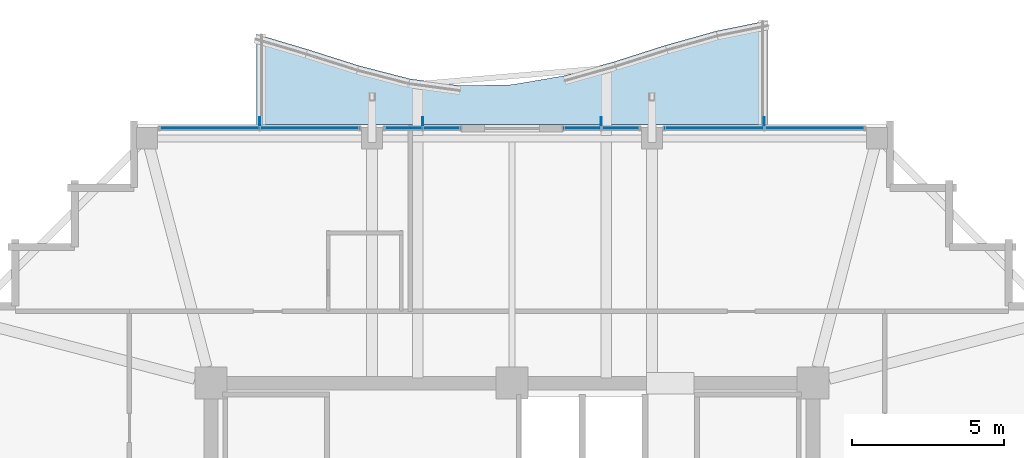
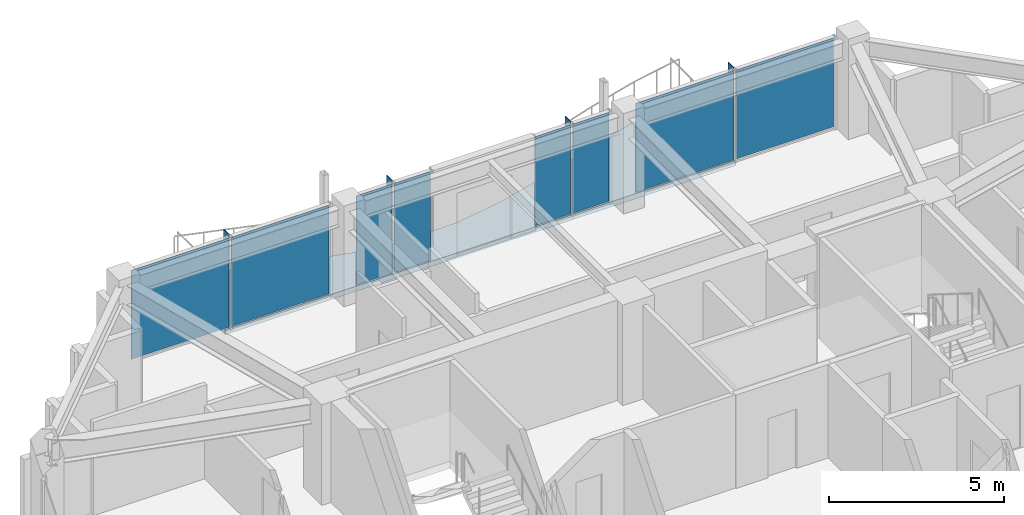
# One storey, part 25 of 31: 12 plates, 1 slab, 4 elements without a shape of their own.
"""IFC4 building model written with IfcOpenShell, lengths in metres."""

from ifc_helpers import new_model, si_unit, direction, frame, origin, origin_2d, place, context, subcontext, project, spatial, polyline, rectangle, outline, extrude, material, layer, layer_set, type_object, element, aggregate, save


model = new_model("IFC4")

# Units and contexts
model_context = context("Model", 3, precision=1e-05, world=origin(), true_north=direction((0.0, 1.0)))
body_context = subcontext(model_context, "Body", "Model", "MODEL_VIEW")
ifc_project = project(units=[si_unit("LENGTHUNIT", "METRE"), si_unit("AREAUNIT", "SQUARE_METRE"), si_unit("VOLUMEUNIT", "CUBIC_METRE"), si_unit("PLANEANGLEUNIT", "RADIAN"), si_unit("MASSUNIT", "GRAM", prefix="KILO")], contexts=[model_context])

# Site, building, storey
site_placement = place(None, origin())
site = spatial("IfcSite", under=ifc_project, at=site_placement, CompositionType="ELEMENT")
building_placement = place(site_placement, origin())
building = spatial("IfcBuilding", under=site, at=building_placement, Name="Kolvaren Belvedere", CompositionType="ELEMENT")
storey_placement = place(building_placement, frame((0.0, 0.0, 247.89990234375)))
storey = spatial("IfcBuildingStorey", under=building, at=storey_placement, Name="L72", CompositionType="ELEMENT", Elevation=247.89990234375)

# Curtain wall, plates
ifc_material_1 = material(Name="Anodised pale-metal aluminium AA 6063-T6", Category="aluminium")
curtain_wall_type = type_object("IfcCurtainWallType", Name="CW-Z5-HIGH", PredefinedType="NOTDEFINED", material=ifc_material_1)
curtain_wall_1_placement = place(storey_placement, origin())
curtain_wall_1 = element("IfcCurtainWall", 1, at=curtain_wall_1_placement, inside=storey, type_object=curtain_wall_type, Name="L72 Unitised Curtain Wall FCW-L72-N1-B1", PredefinedType="NOTDEFINED")
ifc_material_2 = material(Name="Low-iron triple insulated glass", Category="glass")
ifc_layer_1 = layer(ifc_material_2, 0.028076171875)
ifc_layer_set_1 = layer_set([ifc_layer_1], Name="Low-iron triple insulated glass")
plate_type_1 = type_object("IfcPlateType", Name="CW-PNL-VIS28", PredefinedType="CURTAIN_PANEL", material=ifc_layer_set_1)
plate_1_placement = place(storey_placement, frame((-9.947509765625, 18.280029296875, 0.080078125), z_axis=(0.0, 0.0, 1.0), x_axis=(1.0, 0.0, 0.0)))
plate_1 = element("IfcPlate", 2, at=plate_1_placement, type_object=plate_type_1, Name="FCW-L72-N1-B1 Vision Glazing Panel 1", PredefinedType="CURTAIN_PANEL", context=body_context, shape_type="SweptSolid", body=[
    extrude(rectangle(XDim=3.215087890625, YDim=0.028076171875, at=origin_2d()), origin(), (0.0, 0.0, 1.0), 3.090087890625),
])
plate_2_placement = place(storey_placement, frame((-6.652587890625, 18.280029296875, 0.080078125), z_axis=(0.0, 0.0, 1.0), x_axis=(1.0, 0.0, 0.0)))
plate_2 = element("IfcPlate", 3, at=plate_2_placement, type_object=plate_type_1, Name="FCW-L72-N1-B1 Vision Glazing Panel 2", PredefinedType="CURTAIN_PANEL", context=body_context, shape_type="SweptSolid", body=[
    extrude(rectangle(XDim=3.215087890625, YDim=0.028076171875, at=origin_2d()), origin(), (0.0, 0.0, 1.0), 3.090087890625),
])
aggregate(curtain_wall_1, [plate_1, plate_2])

curtain_wall_2_placement = place(storey_placement, origin())
curtain_wall_2 = element("IfcCurtainWall", 4, at=curtain_wall_2_placement, inside=storey, type_object=curtain_wall_type, Name="L72 Unitised Curtain Wall FCW-L72-N1-B2", PredefinedType="NOTDEFINED")
plate_3_placement = place(storey_placement, frame((-3.56640625, 18.280029296875, 0.080078125), z_axis=(0.0, 0.0, 1.0), x_axis=(1.0, 0.0, 0.0)))
plate_3 = element("IfcPlate", 5, at=plate_3_placement, type_object=plate_type_1, Name="FCW-L72-N1-B2 Vision Glazing Panel 1", PredefinedType="CURTAIN_PANEL", context=body_context, shape_type="SweptSolid", body=[
    extrude(rectangle(XDim=1.177490234375, YDim=0.028076171875, at=origin_2d()), origin(), (0.0, 0.0, 1.0), 3.090087890625),
])
plate_4_placement = place(storey_placement, frame((-2.30859375, 18.280029296875, 0.080078125), z_axis=(0.0, 0.0, 1.0), x_axis=(1.0, 0.0, 0.0)))
plate_4 = element("IfcPlate", 6, at=plate_4_placement, type_object=plate_type_1, Name="FCW-L72-N1-B2 Vision Glazing Panel 2", PredefinedType="CURTAIN_PANEL", context=body_context, shape_type="SweptSolid", body=[
    extrude(rectangle(XDim=1.177490234375, YDim=0.028076171875, at=origin_2d()), origin(), (0.0, 0.0, 1.0), 3.090087890625),
])
aggregate(curtain_wall_2, [plate_3, plate_4])

curtain_wall_3_placement = place(storey_placement, origin())
curtain_wall_3 = element("IfcCurtainWall", 7, at=curtain_wall_3_placement, inside=storey, type_object=curtain_wall_type, Name="L72 Unitised Curtain Wall FCW-L72-N2-B1", PredefinedType="NOTDEFINED")
plate_5_placement = place(storey_placement, frame((2.30859375, 18.280029296875, 0.080078125), z_axis=(0.0, 0.0, 1.0), x_axis=(1.0, 0.0, 0.0)))
plate_5 = element("IfcPlate", 8, at=plate_5_placement, type_object=plate_type_1, Name="FCW-L72-N2-B1 Vision Glazing Panel 1", PredefinedType="CURTAIN_PANEL", context=body_context, shape_type="SweptSolid", body=[
    extrude(rectangle(XDim=1.177490234375, YDim=0.028076171875, at=origin_2d()), origin(), (0.0, 0.0, 1.0), 3.090087890625),
])
plate_6_placement = place(storey_placement, frame((3.56640625, 18.280029296875, 0.080078125), z_axis=(0.0, 0.0, 1.0), x_axis=(1.0, 0.0, 0.0)))
plate_6 = element("IfcPlate", 9, at=plate_6_placement, type_object=plate_type_1, Name="FCW-L72-N2-B1 Vision Glazing Panel 2", PredefinedType="CURTAIN_PANEL", context=body_context, shape_type="SweptSolid", body=[
    extrude(rectangle(XDim=1.177490234375, YDim=0.028076171875, at=origin_2d()), origin(), (0.0, 0.0, 1.0), 3.090087890625),
])
aggregate(curtain_wall_3, [plate_5, plate_6])

curtain_wall_4_placement = place(storey_placement, origin())
curtain_wall_4 = element("IfcCurtainWall", 10, at=curtain_wall_4_placement, inside=storey, type_object=curtain_wall_type, Name="L72 Unitised Curtain Wall FCW-L72-N2-B2", PredefinedType="NOTDEFINED")
plate_7_placement = place(storey_placement, frame((6.652587890625, 18.280029296875, 0.080078125), z_axis=(0.0, 0.0, 1.0), x_axis=(1.0, 0.0, 0.0)))
plate_7 = element("IfcPlate", 11, at=plate_7_placement, type_object=plate_type_1, Name="FCW-L72-N2-B2 Vision Glazing Panel 1", PredefinedType="CURTAIN_PANEL", context=body_context, shape_type="SweptSolid", body=[
    extrude(rectangle(XDim=3.215087890625, YDim=0.028076171875, at=origin_2d()), origin(), (0.0, 0.0, 1.0), 3.090087890625),
])
plate_8_placement = place(storey_placement, frame((9.947509765625, 18.280029296875, 0.080078125), z_axis=(0.0, 0.0, 1.0), x_axis=(1.0, 0.0, 0.0)))
plate_8 = element("IfcPlate", 12, at=plate_8_placement, type_object=plate_type_1, Name="FCW-L72-N2-B2 Vision Glazing Panel 2", PredefinedType="CURTAIN_PANEL", context=body_context, shape_type="SweptSolid", body=[
    extrude(rectangle(XDim=3.215087890625, YDim=0.028076171875, at=origin_2d()), origin(), (0.0, 0.0, 1.0), 3.090087890625),
])
aggregate(curtain_wall_4, [plate_7, plate_8])

# Plates
ifc_material_3 = material(Name="Anodised pale-metal aluminium AA 6063-T6", Category="aluminium")
ifc_layer_2 = layer(ifc_material_3, 0.030029296875)
ifc_layer_set_2 = layer_set([ifc_layer_2], Name="Anodised pale-metal aluminium AA 6063-T6")
plate_type_2 = type_object("IfcPlateType", Name="FIN-VERT-300", PredefinedType="USERDEFINED", material=ifc_layer_set_2)
for number, where, z_axis, x_axis, name in (
    (13, (-8.300048828125, 18.489990234375, 0.0), (0.0, 0.0, 1.0), (0.0, 1.0, 0.0), "L72 Pale-Metal Vertical Shading Fin FCW-L72-N1-B1-1"),
    (14, (-2.9375, 18.489990234375, 0.0), (0.0, 0.0, 1.0), (0.0, 1.0, 0.0), "L72 Pale-Metal Vertical Shading Fin FCW-L72-N1-B2-1"),
    (15, (2.9375, 18.489990234375, 0.0), (0.0, 0.0, 1.0), (0.0, 1.0, 0.0), "L72 Pale-Metal Vertical Shading Fin FCW-L72-N2-B1-1"),
    (16, (8.300048828125, 18.489990234375, 0.0), (0.0, 0.0, 1.0), (0.0, 1.0, 0.0), "L72 Pale-Metal Vertical Shading Fin FCW-L72-N2-B2-1"),
):
    element("IfcPlate", number, at=place(storey_placement, frame(where, z_axis=z_axis, x_axis=x_axis)), inside=storey, type_object=plate_type_2, Name=name, ObjectType="VERTICAL FIN", PredefinedType="USERDEFINED", context=body_context, shape_type="SweptSolid", body=[
        extrude(rectangle(XDim=0.300048828125, YDim=0.030029296875, at=origin_2d()), origin(), (0.0, 0.0, 1.0), 3.25),
    ])

# Slab
ifc_material_4 = material(Name="Concrete C50/60", Category="concrete")
ifc_layer_3 = layer(ifc_material_4, 0.179931640625)
ifc_layer_set_3 = layer_set([ifc_layer_3], Name="Concrete C50/60")
slab_type = type_object("IfcSlabType", Name="SL-BAL-180", PredefinedType="FLOOR", material=ifc_layer_set_3)
slab_placement = place(storey_placement, frame((0.0, 0.0, -0.25)))
element("IfcSlab", 17, at=slab_placement, inside=storey, type_object=slab_type, Name="L72 Planted Balcony BAL-N", PredefinedType="FLOOR", context=body_context, shape_type="SweptSolid", body=[
    extrude(outline(polyline([(-8.39990234375, 18.39990234375), (-6.719970703125, 18.39990234375), (-5.0400390625, 18.39990234375), (-3.360107421875, 18.39990234375), (-1.679931640625, 18.39990234375), (0.0, 18.39990234375), (1.679931640625, 18.39990234375), (3.360107421875, 18.39990234375), (5.0400390625, 18.39990234375), (6.719970703125, 18.39990234375), (8.39990234375, 18.39990234375), (8.39990234375, 21.820068359375), (6.719970703125, 21.479248046875), (5.0400390625, 21.008544921875), (3.360107421875, 20.471435546875), (1.679931640625, 20.000732421875), (0.0, 19.712890625), (-1.679931640625, 19.67919921875), (-3.360107421875, 19.90771484375), (-5.0400390625, 20.34228515625), (-6.719970703125, 20.87548828125), (-8.39990234375, 21.374755859375), (-8.39990234375, 18.39990234375)])), origin(), (0.0, 0.0, 1.0), 0.18017578125),
])

save(model, "model.ifc")
